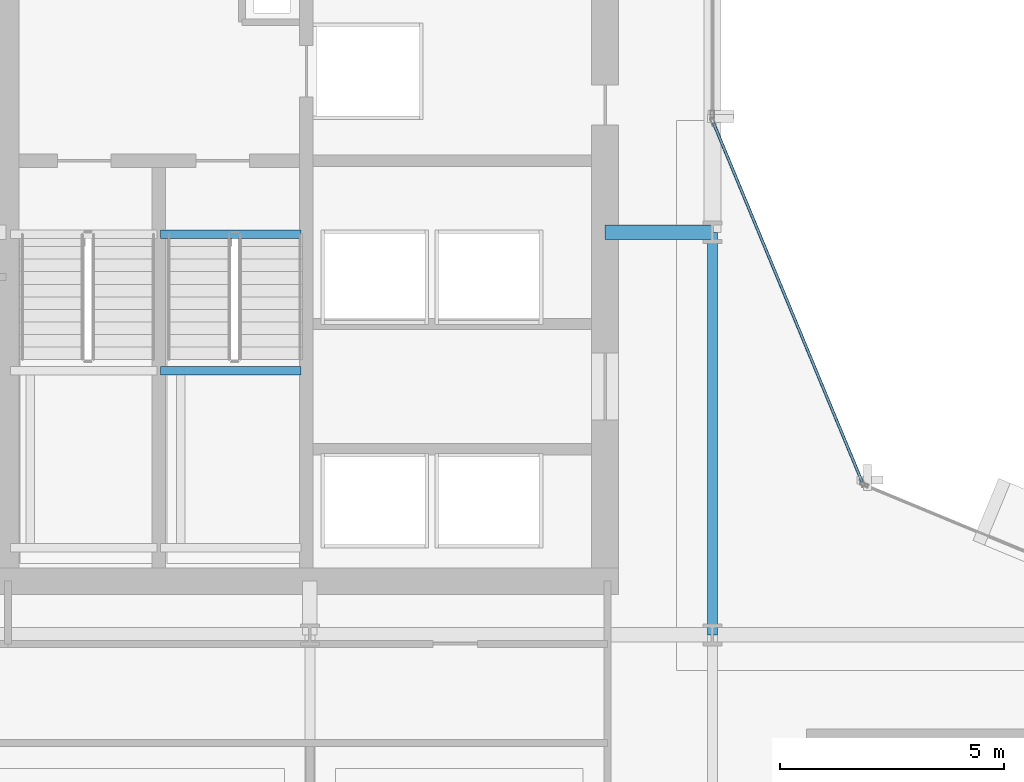
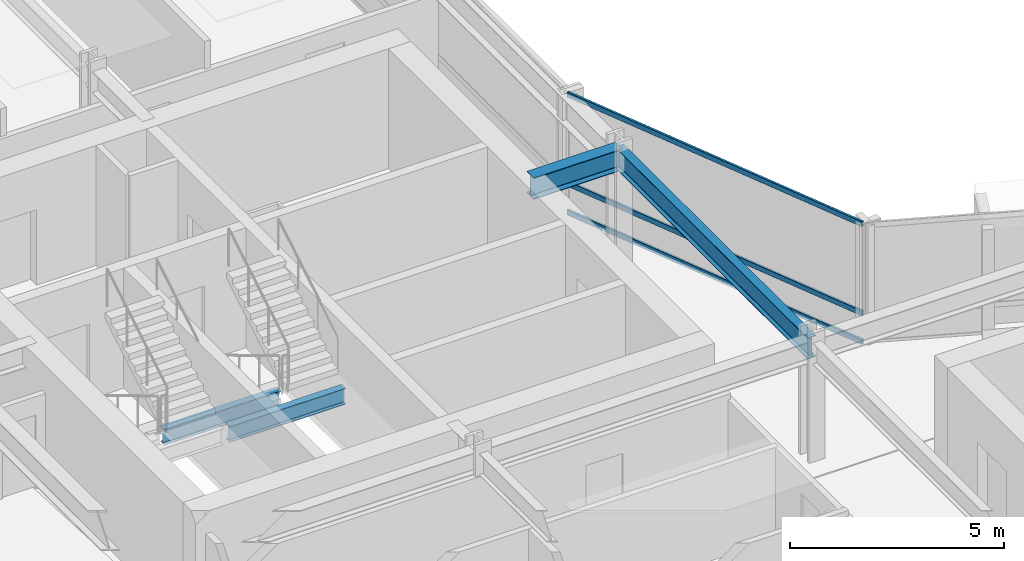
# One storey, part 20 of 34: 4 beams, 3 members, 1 element without a shape of its own.
"""IFC4 building model written with IfcOpenShell, lengths in metres."""

from ifc_helpers import new_model, si_unit, direction, frame, origin, origin_2d, place, context, subcontext, project, spatial, hollow_rectangle, i_section, extrude, material, layer, layer_set, material_profile, profile_set, type_object, element, aggregate, save


model = new_model("IFC4")

# Units and contexts
model_context = context("Model", 3, precision=1e-05, world=origin(), true_north=direction((0.0, 1.0)))
body_context = subcontext(model_context, "Body", "Model", "MODEL_VIEW")
ifc_project = project(units=[si_unit("LENGTHUNIT", "METRE"), si_unit("AREAUNIT", "SQUARE_METRE"), si_unit("VOLUMEUNIT", "CUBIC_METRE"), si_unit("PLANEANGLEUNIT", "RADIAN"), si_unit("MASSUNIT", "GRAM", prefix="KILO")], contexts=[model_context])

# Site, building, storey
site_placement = place(None, origin())
site = spatial("IfcSite", under=ifc_project, at=site_placement, CompositionType="ELEMENT")
building_placement = place(site_placement, origin())
building = spatial("IfcBuilding", under=site, at=building_placement, Name="Solvaryn Broadcast Tower", CompositionType="ELEMENT")
storey_placement = place(building_placement, frame((0.0, 0.0, 36.0)))
storey = spatial("IfcBuildingStorey", under=building, at=storey_placement, Name="L07", CompositionType="ELEMENT", Elevation=36.0)

# Beams
ifc_material_1 = material(Name="Steel ASTM A992 Grade 50", Category="steel")
ifc_material_profile_1 = material_profile(ifc_material_1, i_section(OverallWidth=0.323974609375, OverallDepth=0.611083984375, WebThickness=0.0126953125, FlangeThickness=0.01904296875, FilletRadius=0.014892578125, at=origin_2d()))
ifc_profile_set_1 = profile_set([ifc_material_profile_1], Name="Steel ASTM A992 Grade 50")
beam_type_1 = type_object("IfcBeamType", Name="BM-B1-W24X104", PredefinedType="BEAM", material=ifc_profile_set_1)
beam_1_placement = place(storey_placement, frame((24.60009765625, 36.0, 3.114501953125), z_axis=(1.0, 0.0, 0.0), x_axis=(0.0, 1.0, 0.0)))
element("IfcBeam", 1, at=beam_1_placement, inside=storey, type_object=beam_type_1, Name="L07 Core Tie Beam CTW2", PredefinedType="BEAM", context=body_context, shape_type="SweptSolid", body=[
    extrude(i_section(OverallWidth=0.323974609375, OverallDepth=0.611083984375, WebThickness=0.0126953125, FlangeThickness=0.01904296875, FilletRadius=0.014892578125, at=origin_2d()), origin(), (0.0, 0.0, 1.0), 2.39990234375),
])
ifc_material_2 = material(Name="Steel ASTM A992 Grade 50", Category="steel")
ifc_material_profile_2 = material_profile(ifc_material_2, i_section(OverallWidth=0.22802734375, OverallDepth=0.60791015625, WebThickness=0.01123046875, FlangeThickness=0.017333984375, FilletRadius=0.014892578125, at=origin_2d()))
ifc_profile_set_2 = profile_set([ifc_material_profile_2], Name="Steel ASTM A992 Grade 50")
beam_type_2 = type_object("IfcBeamType", Name="BM-B2-W24X76", PredefinedType="BEAM", material=ifc_profile_set_2)
beam_2_placement = place(storey_placement, frame((27.0, 27.0, 3.115966796875), z_axis=(0.0, 1.0, 0.0), x_axis=(-1.0, 0.0, 0.0)))
element("IfcBeam", 2, at=beam_2_placement, inside=storey, type_object=beam_type_2, Name="L07 Primary Beam Y (27-36 @ X=27)", PredefinedType="BEAM", context=body_context, shape_type="SweptSolid", body=[
    extrude(i_section(OverallWidth=0.22802734375, OverallDepth=0.60791015625, WebThickness=0.01123046875, FlangeThickness=0.017333984375, FilletRadius=0.014892578125, at=origin_2d()), origin(), (0.0, 0.0, 1.0), 9.0),
])
ifc_material_3 = material(Name="Steel ASTM A992 Grade 50", Category="steel")
ifc_material_profile_3 = material_profile(ifc_material_3, i_section(OverallWidth=0.18994140625, OverallDepth=0.45703125, WebThickness=0.009033203125, FlangeThickness=0.014404296875, FilletRadius=0.011962890625, at=origin_2d()))
ifc_profile_set_3 = profile_set([ifc_material_profile_3], Name="Steel ASTM A992 Grade 50")
beam_type_3 = type_object("IfcBeamType", Name="BM-B4-W18X50", PredefinedType="BEAM", material=ifc_profile_set_3)
for number, where, z_axis, x_axis, name in (
    (3, (14.659912109375, 35.9599609375, -0.508544921875), (1.0, 0.0, 0.0), (0.0, 1.0, 0.0), "L07 ST2 Stair Well Trimmer Beam"),
    (4, (14.659912109375, 32.909912109375, 1.42138671875), (1.0, 0.0, 0.0), (0.0, 1.0, 0.0), "L07 ST2 Landing Support Beam 1B"),
):
    element("IfcBeam", number, at=place(storey_placement, frame(where, z_axis=z_axis, x_axis=x_axis)), inside=storey, type_object=beam_type_3, Name=name, PredefinedType="BEAM", context=body_context, shape_type="SweptSolid", body=[
        extrude(i_section(OverallWidth=0.18994140625, OverallDepth=0.45703125, WebThickness=0.009033203125, FlangeThickness=0.014404296875, FilletRadius=0.011962890625, at=origin_2d()), origin(), (0.0, 0.0, 1.0), 3.14013671875),
    ])

# Curtain wall, members
ifc_material_4 = material(Name="Aluminium and Terracotta Unitised Curtain Wall", Category="masonry")
ifc_layer = layer(ifc_material_4, 0.199951171875)
ifc_layer_set = layer_set([ifc_layer], Name="CW-SYS2-LOWMID")
curtain_wall_type = type_object("IfcCurtainWallType", Name="CW-SYS2-LOWMID", PredefinedType="NOTDEFINED", material=ifc_layer_set)
curtain_wall_placement = place(storey_placement, origin())
curtain_wall = element("IfcCurtainWall", 5, at=curtain_wall_placement, inside=storey, type_object=curtain_wall_type, Name="L07 Curtain Wall CN2", PredefinedType="NOTDEFINED")
ifc_material_5 = material(Name="Anodised Aluminium 6063-T6", Category="aluminium")
ifc_material_profile_4 = material_profile(ifc_material_5, hollow_rectangle(XDim=0.06494140625, YDim=0.14990234375, WallThickness=0.00390625, InnerFilletRadius=0.00390625, OuterFilletRadius=0.008056640625, at=origin_2d()))
ifc_profile_set_4 = profile_set([ifc_material_profile_4], Name="Anodised Aluminium 6063-T6")
member_type = type_object("IfcMemberType", Name="CW-TRN-150", PredefinedType="USERDEFINED", material=ifc_profile_set_4)
member_1_placement = place(storey_placement, frame((30.344970703125, 30.42333984375, 0.030029296875), z_axis=(-0.382635748975, 0.923899282177, 0.0), x_axis=(-0.923899282177, -0.382635748975, 0.0)))
member_1 = element("IfcMember", 6, at=member_1_placement, type_object=member_type, Name="CWS2 transom 1.1", ObjectType="TRANSOM", PredefinedType="USERDEFINED", context=body_context, shape_type="SweptSolid", body=[
    extrude(hollow_rectangle(XDim=0.06494140625, YDim=0.14990234375, WallThickness=0.00390625, InnerFilletRadius=0.00390625, OuterFilletRadius=0.008056640625, at=origin_2d()), origin(), (0.0, 0.0, 1.0), 8.681884765625),
])
member_2_placement = place(storey_placement, frame((30.344970703125, 30.42333984375, 0.85009765625), z_axis=(-0.382635748975, 0.923899282177, 0.0), x_axis=(-0.923899282177, -0.382635748975, 0.0)))
member_2 = element("IfcMember", 7, at=member_2_placement, type_object=member_type, Name="CWS2 transom 1.2", ObjectType="TRANSOM", PredefinedType="USERDEFINED", context=body_context, shape_type="SweptSolid", body=[
    extrude(hollow_rectangle(XDim=0.06494140625, YDim=0.14990234375, WallThickness=0.00390625, InnerFilletRadius=0.00390625, OuterFilletRadius=0.008056640625, at=origin_2d()), origin(), (0.0, 0.0, 1.0), 8.681884765625),
])
member_3_placement = place(storey_placement, frame((30.344970703125, 30.42333984375, 3.389892578125), z_axis=(-0.382635748975, 0.923899282177, 0.0), x_axis=(-0.923899282177, -0.382635748975, 0.0)))
member_3 = element("IfcMember", 8, at=member_3_placement, type_object=member_type, Name="CWS2 transom 1.3", ObjectType="TRANSOM", PredefinedType="USERDEFINED", context=body_context, shape_type="SweptSolid", body=[
    extrude(hollow_rectangle(XDim=0.06494140625, YDim=0.14990234375, WallThickness=0.00390625, InnerFilletRadius=0.00390625, OuterFilletRadius=0.008056640625, at=origin_2d()), origin(), (0.0, 0.0, 1.0), 8.681884765625),
])
aggregate(curtain_wall, [member_1, member_2, member_3])

save(model, "model.ifc")
